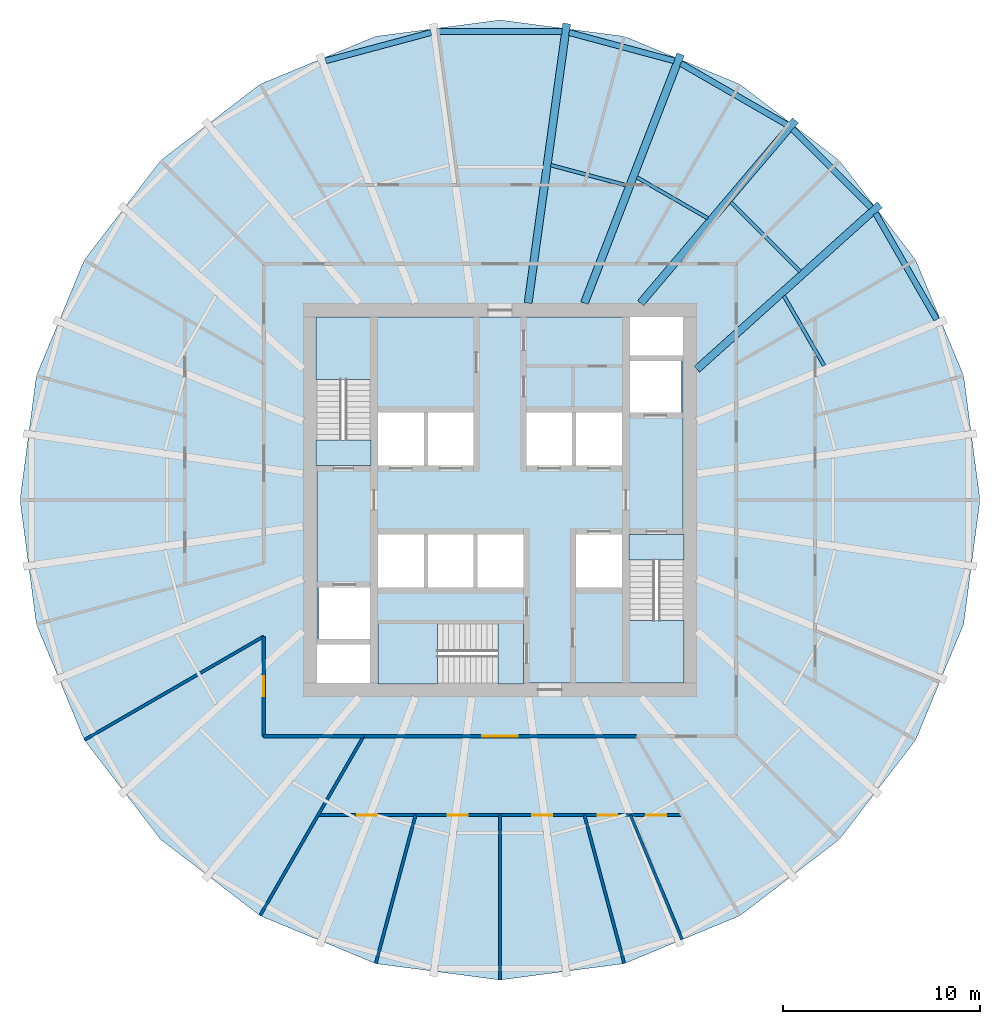
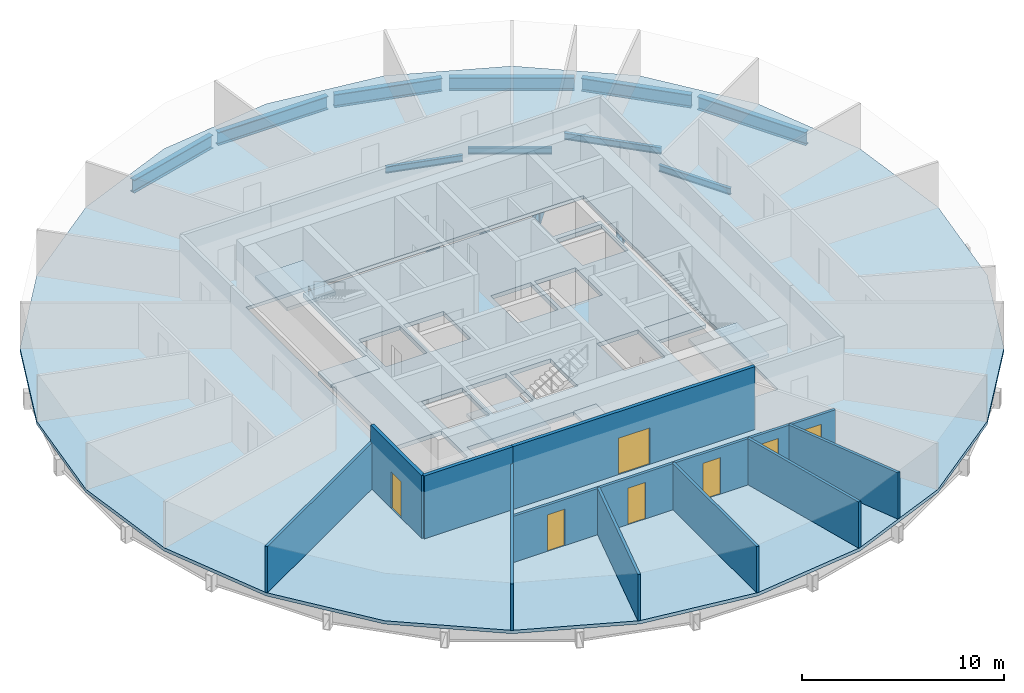
# One storey, part 2 of 6: 14 beams, 10 walls, 8 slabs, 7 doors, 7 openings, 3 elements without a shape of their own.
"""IFC4 building model written with IfcOpenShell, lengths in metres."""

from ifc_helpers import new_model, si_unit, direction, frame, frame_2d, origin, origin_2d, place, context, subcontext, project, spatial, polyline, rectangle, hollow_rectangle, i_section, outline, extrude, material, layer, layer_set, material_profile, profile_set, type_object, element, fill, aggregate, save


model = new_model("IFC4")

# Units and contexts
model_context = context("Model", 3, precision=1e-05, world=origin(), true_north=direction((0.0, 1.0)))
body_context = subcontext(model_context, "Body", "Model", "MODEL_VIEW")
ifc_project = project(units=[si_unit("LENGTHUNIT", "METRE"), si_unit("AREAUNIT", "SQUARE_METRE"), si_unit("VOLUMEUNIT", "CUBIC_METRE"), si_unit("PLANEANGLEUNIT", "RADIAN"), si_unit("MASSUNIT", "GRAM", prefix="KILO")], contexts=[model_context])

# Site, building, storey
site_placement = place(None, origin())
site = spatial("IfcSite", under=ifc_project, at=site_placement, CompositionType="ELEMENT")
building_placement = place(site_placement, origin())
building = spatial("IfcBuilding", under=site, at=building_placement, Name="Golbaran Civic Tower", CompositionType="ELEMENT")
storey_placement = place(building_placement, frame((0.0, 0.0, 94.0)))
storey = spatial("IfcBuildingStorey", under=building, at=storey_placement, Name="L22", CompositionType="ELEMENT", Elevation=94.0)

# Beams
ifc_material_1 = material(Name="Steel S355", Category="steel")
ifc_material_profile_1 = material_profile(ifc_material_1, i_section(OverallWidth=0.300048828125, OverallDepth=0.800048828125, WebThickness=0.017578125, FlangeThickness=0.032958984375, FilletRadius=0.030029296875, at=origin_2d()), Name="HEB 800")
ifc_profile_set_1 = profile_set([ifc_material_profile_1], Name="Steel S355")
beam_type_1 = type_object("IfcBeamType", Name="EDGE BEAM HEB 800", PredefinedType="BEAM", material=ifc_profile_set_1)
beam_1_placement = place(storey_placement, frame((22.1787109375, 9.164306640625, -0.60009765625), z_axis=(-0.498594901673, 0.866835119285, 0.0), x_axis=(-0.866835119285, -0.498594901673, 0.0)))
element("IfcBeam", 1, at=beam_1_placement, inside=storey, type_object=beam_type_1, Name="Edge beam 22.03 L22", PredefinedType="BEAM", context=body_context, shape_type="SweptSolid", body=[
    extrude(i_section(OverallWidth=0.300048828125, OverallDepth=0.800048828125, WebThickness=0.017578125, FlangeThickness=0.032958984375, FilletRadius=0.030029296875, at=origin_2d()), origin(), (0.0, 0.0, 1.0), 6.2255859375),
])
beam_2_placement = place(storey_placement, frame((18.855712890625, 14.847900390625, -0.60009765625), z_axis=(-0.706651848272, 0.707561421598, 0.0), x_axis=(-0.707561421598, -0.706651848272, 0.0)))
element("IfcBeam", 2, at=beam_2_placement, inside=storey, type_object=beam_type_1, Name="Edge beam 37.97 L22", PredefinedType="BEAM", context=body_context, shape_type="SweptSolid", body=[
    extrude(i_section(OverallWidth=0.300048828125, OverallDepth=0.800048828125, WebThickness=0.017578125, FlangeThickness=0.032958984375, FilletRadius=0.030029296875, at=origin_2d()), origin(), (0.0, 0.0, 1.0), 5.63671875),
])
beam_3_placement = place(storey_placement, frame((14.58642578125, 19.055419921875, -0.60009765625), z_axis=(-0.866316558112, 0.499495366485, 0.0), x_axis=(-0.499495366485, -0.866316558112, 0.0)))
element("IfcBeam", 3, at=beam_3_placement, inside=storey, type_object=beam_type_1, Name="Edge beam 52.03 L22", PredefinedType="BEAM", context=body_context, shape_type="SweptSolid", body=[
    extrude(i_section(OverallWidth=0.300048828125, OverallDepth=0.800048828125, WebThickness=0.017578125, FlangeThickness=0.032958984375, FilletRadius=0.030029296875, at=origin_2d()), origin(), (0.0, 0.0, 1.0), 6.236328125),
])
beam_4_placement = place(storey_placement, frame((8.851318359375, 22.308349609375, -0.60009765625), z_axis=(-0.965825057317, 0.259194827608, 0.0), x_axis=(-0.259194827608, -0.965825057317, 0.0)))
element("IfcBeam", 4, at=beam_4_placement, inside=storey, type_object=beam_type_1, Name="Edge beam 67.97 L22", PredefinedType="BEAM", context=body_context, shape_type="SweptSolid", body=[
    extrude(i_section(OverallWidth=0.300048828125, OverallDepth=0.800048828125, WebThickness=0.017578125, FlangeThickness=0.032958984375, FilletRadius=0.030029296875, at=origin_2d()), origin(), (0.0, 0.0, 1.0), 5.53271484375),
])
beam_5_placement = place(storey_placement, frame((3.150634765625, 23.78955078125, -0.60009765625), z_axis=(-1.0, 0.0, 0.0), x_axis=(0.0, -1.0, 0.0)))
element("IfcBeam", 5, at=beam_5_placement, inside=storey, type_object=beam_type_1, Name="Edge beam 82.03 L22", PredefinedType="BEAM", context=body_context, shape_type="SweptSolid", body=[
    extrude(i_section(OverallWidth=0.300048828125, OverallDepth=0.800048828125, WebThickness=0.017578125, FlangeThickness=0.032958984375, FilletRadius=0.030029296875, at=origin_2d()), origin(), (0.0, 0.0, 1.0), 6.30126953125),
])
beam_6_placement = place(storey_placement, frame((-3.507568359375, 23.742431640625, -0.60009765625), z_axis=(-0.965825057317, -0.259194827608, 0.0), x_axis=(0.259194827608, -0.965825057317, 0.0)))
element("IfcBeam", 6, at=beam_6_placement, inside=storey, type_object=beam_type_1, Name="Edge beam 97.97 L22", PredefinedType="BEAM", context=body_context, shape_type="SweptSolid", body=[
    extrude(i_section(OverallWidth=0.300048828125, OverallDepth=0.800048828125, WebThickness=0.017578125, FlangeThickness=0.032958984375, FilletRadius=0.030029296875, at=origin_2d()), origin(), (0.0, 0.0, 1.0), 5.53271484375),
])
ifc_material_profile_2 = material_profile(ifc_material_1, i_section(OverallWidth=0.179931640625, OverallDepth=0.39990234375, WebThickness=0.008544921875, FlangeThickness=0.013427734375, FilletRadius=0.02099609375, at=origin_2d()), Name="IPE 400")
ifc_profile_set_2 = profile_set([ifc_material_profile_2], Name="Steel S355")
beam_type_2 = type_object("IfcBeamType", Name="FLOOR INFILL BEAM IPE 400", PredefinedType="BEAM", material=ifc_profile_set_2)
beam_7_placement = place(storey_placement, frame((16.4638671875, 6.825439453125, -0.39990234375), z_axis=(-0.500018332044, 0.866014819515, 0.0), x_axis=(-0.866014819515, -0.500018332044, 0.0)))
element("IfcBeam", 7, at=beam_7_placement, inside=storey, type_object=beam_type_2, Name="Infill beam 30.00 L22", PredefinedType="BEAM", context=body_context, shape_type="SweptSolid", body=[
    extrude(i_section(OverallWidth=0.179931640625, OverallDepth=0.39990234375, WebThickness=0.008544921875, FlangeThickness=0.013427734375, FilletRadius=0.02099609375, at=origin_2d()), origin(), (0.0, 0.0, 1.0), 4.094970703125),
])
beam_8_placement = place(storey_placement, frame((15.24853515625, 11.6044921875, -0.39990234375), z_axis=(-0.707106781187, 0.707106781187, 0.0), x_axis=(-0.707106781187, -0.707106781187, 0.0)))
element("IfcBeam", 8, at=beam_8_placement, inside=storey, type_object=beam_type_2, Name="Infill beam 45.00 L22", PredefinedType="BEAM", context=body_context, shape_type="SweptSolid", body=[
    extrude(i_section(OverallWidth=0.179931640625, OverallDepth=0.39990234375, WebThickness=0.008544921875, FlangeThickness=0.013427734375, FilletRadius=0.02099609375, at=origin_2d()), origin(), (0.0, 0.0, 1.0), 4.980712890625),
])
beam_9_placement = place(storey_placement, frame((10.559814453125, 14.307373046875, -0.39990234375), z_axis=(-0.866032464785, 0.499987769789, 0.0), x_axis=(-0.499987769789, -0.866032464785, 0.0)))
element("IfcBeam", 9, at=beam_9_placement, inside=storey, type_object=beam_type_2, Name="Infill beam 60.00 L22", PredefinedType="BEAM", context=body_context, shape_type="SweptSolid", body=[
    extrude(i_section(OverallWidth=0.179931640625, OverallDepth=0.39990234375, WebThickness=0.008544921875, FlangeThickness=0.013427734375, FilletRadius=0.02099609375, at=origin_2d()), origin(), (0.0, 0.0, 1.0), 4.16845703125),
])
beam_10_placement = place(storey_placement, frame((6.40576171875, 15.983154296875, -0.39990234375), z_axis=(-0.965928527499, 0.258808963839, 0.0), x_axis=(-0.258808963839, -0.965928527499, 0.0)))
element("IfcBeam", 10, at=beam_10_placement, inside=storey, type_object=beam_type_2, Name="Infill beam 75.00 L22", PredefinedType="BEAM", context=body_context, shape_type="SweptSolid", body=[
    extrude(i_section(OverallWidth=0.179931640625, OverallDepth=0.39990234375, WebThickness=0.008544921875, FlangeThickness=0.013427734375, FilletRadius=0.02099609375, at=origin_2d()), origin(), (0.0, 0.0, 1.0), 3.962890625),
])
ifc_material_profile_3 = material_profile(ifc_material_1, hollow_rectangle(XDim=0.39990234375, YDim=1.0, WallThickness=0.050048828125, at=origin_2d()), Name="BOX 1000x400x50")
ifc_profile_set_3 = profile_set([ifc_material_profile_3], Name="Steel S355")
beam_type_3 = type_object("IfcBeamType", Name="RADIAL FLOOR BEAM BOX 1000x400x50", PredefinedType="BEAM", material=ifc_profile_set_3)
beam_11_placement = place(storey_placement, frame((10.0, 6.642822265625, -0.7099609375), z_axis=(0.743593348395, 0.668632135201, 0.0), x_axis=(-0.668632135201, 0.743593348395, 0.0)))
element("IfcBeam", 11, at=beam_11_placement, inside=storey, type_object=beam_type_3, Name="Radial beam 37.97 L22", PredefinedType="BEAM", context=body_context, shape_type="SweptSolid", body=[
    extrude(hollow_rectangle(XDim=0.39990234375, YDim=1.0, WallThickness=0.050048828125, at=origin_2d()), origin(), (0.0, 0.0, 1.0), 12.493408203125),
])
beam_12_placement = place(storey_placement, frame((7.142822265625, 10.0, -0.7099609375), z_axis=(0.646784737772, 0.762672605372, 0.0), x_axis=(-0.762672605372, 0.646784737772, 0.0)))
element("IfcBeam", 12, at=beam_12_placement, inside=storey, type_object=beam_type_3, Name="Radial beam 52.03 L22", PredefinedType="BEAM", context=body_context, shape_type="SweptSolid", body=[
    extrude(hollow_rectangle(XDim=0.39990234375, YDim=1.0, WallThickness=0.050048828125, at=origin_2d()), origin(), (0.0, 0.0, 1.0), 12.166259765625),
])
beam_13_placement = place(storey_placement, frame((4.28564453125, 10.0, -0.7099609375), z_axis=(0.360602586713, 0.932719558311, 0.0), x_axis=(-0.932719558311, 0.360602586713, 0.0)))
element("IfcBeam", 13, at=beam_13_placement, inside=storey, type_object=beam_type_3, Name="Radial beam 67.97 L22", PredefinedType="BEAM", context=body_context, shape_type="SweptSolid", body=[
    extrude(hollow_rectangle(XDim=0.39990234375, YDim=1.0, WallThickness=0.050048828125, at=origin_2d()), origin(), (0.0, 0.0, 1.0), 13.55908203125),
])
beam_14_placement = place(storey_placement, frame((1.428466796875, 10.0, -0.7099609375), z_axis=(0.136772265924, 0.990602517296, 0.0), x_axis=(-0.990602517296, 0.136772265924, 0.0)))
element("IfcBeam", 14, at=beam_14_placement, inside=storey, type_object=beam_type_3, Name="Radial beam 82.03 L22", PredefinedType="BEAM", context=body_context, shape_type="SweptSolid", body=[
    extrude(hollow_rectangle(XDim=0.39990234375, YDim=1.0, WallThickness=0.050048828125, at=origin_2d()), origin(), (0.0, 0.0, 1.0), 14.333740234375),
])

# Slabs
ifc_material_2 = material(Name="Concrete LC30/33 lightweight on steel deck", Category="concrete")
ifc_layer_1 = layer(ifc_material_2, 0.199951171875, Name="Concrete LC30/33 lightweight on steel deck")
ifc_layer_set_1 = layer_set([ifc_layer_1], Name="Concrete LC30/33 lightweight on steel deck")
slab_type_1 = type_object("IfcSlabType", Name="COMPOSITE FLOOR SLAB 200", PredefinedType="FLOOR", material=ifc_layer_set_1)
slab_1_placement = place(storey_placement, frame((0.0, 0.0, -0.199951171875)))
element("IfcSlab", 15, at=slab_1_placement, inside=storey, type_object=slab_type_1, Name="Floor slab L22", PredefinedType="FLOOR", context=body_context, shape_type="SweptSolid", body=[
    extrude(outline(polyline([(21.114013671875, -12.190185546875), (17.239501953125, -17.239501953125), (12.190185546875, -21.114013671875), (6.31005859375, -23.549560546875), (0.0, -24.38037109375), (-6.31005859375, -23.549560546875), (-12.190185546875, -21.114013671875), (-17.239501953125, -17.239501953125), (-21.114013671875, -12.190185546875), (-23.549560546875, -6.31005859375), (-24.38037109375, 0.0), (-23.549560546875, 6.31005859375), (-21.114013671875, 12.190185546875), (-17.239501953125, 17.239501953125), (-12.190185546875, 21.114013671875), (-6.31005859375, 23.549560546875), (0.0, 24.38037109375), (6.31005859375, 23.549560546875), (12.190185546875, 21.114013671875), (17.239501953125, 17.239501953125), (21.114013671875, 12.190185546875), (23.549560546875, 6.31005859375), (24.38037109375, 0.0), (23.549560546875, -6.31005859375), (21.114013671875, -12.190185546875)]), holes=[polyline([(-9.64990234375, 9.64990234375), (-9.64990234375, -9.64990234375), (9.64990234375, -9.64990234375), (9.64990234375, 9.64990234375), (-9.64990234375, 9.64990234375)])]), origin(), (0.0, 0.0, 1.0), 0.199951171875),
])
ifc_material_3 = material(Name="Concrete C35/45", Category="concrete")
ifc_layer_2 = layer(ifc_material_3, 0.25, Name="Concrete C35/45")
ifc_layer_set_2 = layer_set([ifc_layer_2], Name="Concrete C35/45")
slab_type_2 = type_object("IfcSlabType", Name="CORE FLOOR SLAB 250", PredefinedType="FLOOR", material=ifc_layer_set_2)
slab_2_placement = place(storey_placement, frame((0.0, 0.0, -0.25)))
element("IfcSlab", 16, at=slab_2_placement, inside=storey, type_object=slab_type_2, Name="Core floor slab L22", PredefinedType="FLOOR", context=body_context, shape_type="SweptSolid", body=[
    extrude(outline(polyline([(6.60009765625, -1.75), (6.60009765625, -9.300048828125), (1.199951171875, -9.300048828125), (1.199951171875, -6.300048828125), (-6.199951171875, -6.300048828125), (-6.199951171875, -9.300048828125), (-6.60009765625, -9.300048828125), (-6.60009765625, -7.35009765625), (-9.300048828125, -7.35009765625), (-9.300048828125, 1.75), (-6.60009765625, 1.75), (-6.60009765625, 9.300048828125), (6.60009765625, 9.300048828125), (6.60009765625, 7.35009765625), (9.300048828125, 7.35009765625), (9.300048828125, -1.75), (6.60009765625, -1.75)]), holes=[polyline([(9.199951171875, 7.050048828125), (6.60009765625, 7.050048828125), (6.60009765625, 4.449951171875), (9.199951171875, 4.449951171875), (9.199951171875, 7.050048828125)]), polyline([(6.199951171875, -1.75), (3.85009765625, -1.75), (3.85009765625, -4.449951171875), (6.199951171875, -4.449951171875), (6.199951171875, -1.75)]), polyline([(6.199951171875, 4.449951171875), (3.85009765625, 4.449951171875), (3.85009765625, 1.75), (6.199951171875, 1.75), (6.199951171875, 4.449951171875)]), polyline([(3.64990234375, 4.449951171875), (1.35009765625, 4.449951171875), (1.35009765625, 1.75), (3.64990234375, 1.75), (3.64990234375, 4.449951171875)]), polyline([(1.199951171875, -1.75), (-1.14990234375, -1.75), (-1.14990234375, -4.449951171875), (1.199951171875, -4.449951171875), (1.199951171875, -1.75)]), polyline([(-1.35009765625, 4.449951171875), (-3.64990234375, 4.449951171875), (-3.64990234375, 1.75), (-1.35009765625, 1.75), (-1.35009765625, 4.449951171875)]), polyline([(-1.35009765625, -1.75), (-3.64990234375, -1.75), (-3.64990234375, -4.449951171875), (-1.35009765625, -4.449951171875), (-1.35009765625, -1.75)]), polyline([(-3.85009765625, -1.75), (-6.199951171875, -1.75), (-6.199951171875, -4.449951171875), (-3.85009765625, -4.449951171875), (-3.85009765625, -1.75)]), polyline([(-3.85009765625, 4.449951171875), (-6.199951171875, 4.449951171875), (-6.199951171875, 1.75), (-3.85009765625, 1.75), (-3.85009765625, 4.449951171875)]), polyline([(-6.60009765625, -4.449951171875), (-9.199951171875, -4.449951171875), (-9.199951171875, -7.050048828125), (-6.60009765625, -7.050048828125), (-6.60009765625, -4.449951171875)])]), origin(), (0.0, 0.0, 1.0), 0.25),
])

# Stair, slab
stair_type_1 = type_object("IfcStairType", Name="EXIT STAIR 2700 x 7550, 4000 RISE", PredefinedType="HALF_TURN_STAIR", material=ifc_material_3)
stair_1_placement = place(storey_placement, origin())
stair_1 = element("IfcStair", 17, at=stair_1_placement, inside=storey, type_object=stair_type_1, Name="Stair S1 L22", PredefinedType="HALF_TURN_STAIR")
ifc_layer_3 = layer(ifc_material_3, 0.199951171875, Name="Concrete C35/45")
ifc_layer_set_3 = layer_set([ifc_layer_3], Name="Concrete C35/45")
slab_type_3 = type_object("IfcSlabType", Name="STAIR LANDING 200", PredefinedType="LANDING", material=ifc_layer_set_3)
slab_3_placement = place(storey_placement, frame((0.0, 0.0, 1.800048828125)))
slab_3 = element("IfcSlab", 18, at=slab_3_placement, type_object=slab_type_3, Name="ST27076-40 landing 1", PredefinedType="LANDING", context=body_context, shape_type="SweptSolid", body=[
    extrude(outline(polyline([(-9.35009765625, 6.125), (-9.35009765625, 9.300048828125), (-6.550048828125, 9.300048828125), (-6.550048828125, 6.125), (-9.35009765625, 6.125)])), origin(), (0.0, 0.0, 1.0), 0.199951171875),
])
aggregate(stair_1, [slab_3])

# Slab
slab_4_placement = place(storey_placement, frame((0.0, 0.0, -0.199951171875)))
element("IfcSlab", 19, at=slab_4_placement, inside=storey, type_object=slab_type_3, Name="Stair S1 floor landing L22", PredefinedType="LANDING", context=body_context, shape_type="SweptSolid", body=[
    extrude(outline(polyline([(-9.35009765625, 1.75), (-9.35009765625, 3.054931640625), (-6.550048828125, 3.054931640625), (-6.550048828125, 1.75), (-9.35009765625, 1.75)])), origin(), (0.0, 0.0, 1.0), 0.199951171875),
])

# Stair, slab
stair_2_placement = place(storey_placement, origin())
stair_2 = element("IfcStair", 20, at=stair_2_placement, inside=storey, type_object=stair_type_1, Name="Stair S2 L22", PredefinedType="HALF_TURN_STAIR")
slab_5_placement = place(storey_placement, frame((0.0, 0.0, 1.800048828125)))
slab_5 = element("IfcSlab", 21, at=slab_5_placement, type_object=slab_type_3, Name="ST27076-40 landing 1", PredefinedType="LANDING", context=body_context, shape_type="SweptSolid", body=[
    extrude(outline(polyline([(9.35009765625, -6.125), (9.35009765625, -9.300048828125), (6.550048828125, -9.300048828125), (6.550048828125, -6.125), (9.35009765625, -6.125)])), origin(), (0.0, 0.0, 1.0), 0.199951171875),
])
aggregate(stair_2, [slab_5])

# Slab
slab_6_placement = place(storey_placement, frame((0.0, 0.0, -0.199951171875)))
element("IfcSlab", 22, at=slab_6_placement, inside=storey, type_object=slab_type_3, Name="Stair S2 floor landing L22", PredefinedType="LANDING", context=body_context, shape_type="SweptSolid", body=[
    extrude(outline(polyline([(9.35009765625, -1.75), (9.35009765625, -3.054931640625), (6.550048828125, -3.054931640625), (6.550048828125, -1.75), (9.35009765625, -1.75)])), origin(), (0.0, 0.0, 1.0), 0.199951171875),
])

# Stair, slab
stair_type_2 = type_object("IfcStairType", Name="EXIT STAIR 3000 x 7400, 4000 RISE", PredefinedType="HALF_TURN_STAIR", material=ifc_material_3)
stair_3_placement = place(storey_placement, origin())
stair_3 = element("IfcStair", 23, at=stair_3_placement, inside=storey, type_object=stair_type_2, Name="Stair S3 L22", PredefinedType="HALF_TURN_STAIR")
slab_7_placement = place(storey_placement, frame((0.0, 0.0, 1.800048828125)))
slab_7 = element("IfcSlab", 24, at=slab_7_placement, type_object=slab_type_3, Name="ST30074-40 landing 1", PredefinedType="LANDING", context=body_context, shape_type="SweptSolid", body=[
    extrude(outline(polyline([(-3.175048828125, -9.35009765625), (-6.199951171875, -9.35009765625), (-6.199951171875, -6.25), (-3.175048828125, -6.25), (-3.175048828125, -9.35009765625)])), origin(), (0.0, 0.0, 1.0), 0.199951171875),
])
aggregate(stair_3, [slab_7])

# Slab
slab_8_placement = place(storey_placement, frame((0.0, 0.0, -0.199951171875)))
element("IfcSlab", 25, at=slab_8_placement, inside=storey, type_object=slab_type_3, Name="Stair S3 floor landing L22", PredefinedType="LANDING", context=body_context, shape_type="SweptSolid", body=[
    extrude(outline(polyline([(1.199951171875, -9.35009765625), (-0.10498046875, -9.35009765625), (-0.10498046875, -6.25), (1.199951171875, -6.25), (1.199951171875, -9.35009765625)])), origin(), (0.0, 0.0, 1.0), 0.199951171875),
])

# Wall, opening, door
ifc_material_4 = material(Name="Gypsum board on steel studs, fire-rated", Category="steel")
ifc_layer_4 = layer(ifc_material_4, 0.199951171875, Name="Gypsum board on steel studs, fire-rated")
ifc_layer_set_4 = layer_set([ifc_layer_4], Name="Gypsum board on steel studs, fire-rated")
wall_type_1 = type_object("IfcWallType", Name="CORRIDOR WALL 200", PredefinedType="PARTITIONING", material=ifc_layer_set_4)
wall_1_placement = place(storey_placement, frame((-12.0, -6.92822265625, 0.0), z_axis=(0.0, 0.0, 1.0), x_axis=(0.0, -1.0, 0.0)))
wall_1 = element("IfcWall", 26, at=wall_1_placement, inside=storey, type_object=wall_type_1, Name="Corridor wall L22", PredefinedType="PARTITIONING", context=body_context, shape_type="SweptSolid", body=[
    extrude(rectangle(XDim=5.07177734375, YDim=0.199951171875, at=frame_2d((2.535888671875, 0.0))), origin(), (0.0, 0.0, 1.0), 3.800048828125),
])
opening_1_placement = place(wall_1_placement, frame((2.035888671875, 0.0, 0.0)))
opening_1 = element("IfcOpeningElement", 27, at=opening_1_placement, cuts=wall_1, Name="Opening L22.25", PredefinedType="OPENING", context=body_context, shape_type="SweptSolid", body=[
    extrude(rectangle(XDim=1.0, YDim=2.199951171875, at=frame_2d((0.5, 1.10009765625))), frame((0.0, 0.10986328125, 0.0), z_axis=(0.0, -1.0, 0.0), x_axis=(1.0, 0.0, 0.0)), (0.0, 0.0, 1.0), 0.219970703125),
])
ifc_material_5 = material(Name="Timber door set in steel frame", Category="steel")
door_type_1 = type_object("IfcDoorType", Name="OFFICE DOOR 1000x2200", OperationType="SINGLE_SWING_LEFT", PredefinedType="DOOR", material=ifc_material_5)
door_1_placement = place(opening_1_placement, origin())
door_1 = element("IfcDoor", 28, at=door_1_placement, inside=storey, type_object=door_type_1, Name="Project Room door L22", OperationType="SINGLE_SWING_RIGHT", OverallHeight=2.199951171875, OverallWidth=1.0, PredefinedType="DOOR", context=body_context, shape_type="SweptSolid", body=[
    extrude(rectangle(XDim=1.0, YDim=2.199951171875, at=frame_2d((0.5, 1.10009765625))), frame((0.0, 0.02490234375, 0.0), z_axis=(0.0, -1.0, 0.0), x_axis=(1.0, 0.0, 0.0)), (0.0, 0.0, 1.0), 0.050048828125),
])
fill(opening_1, door_1)

# Wall
wall_2_placement = place(storey_placement, frame((-12.0, -12.0, 0.0), z_axis=(0.0, 0.0, 1.0), x_axis=(1.0, 0.0, 0.0)))
element("IfcWall", 29, at=wall_2_placement, inside=storey, type_object=wall_type_1, Name="Corridor wall L22", PredefinedType="PARTITIONING", context=body_context, shape_type="SweptSolid", body=[
    extrude(rectangle(XDim=5.07177734375, YDim=0.199951171875, at=frame_2d((2.535888671875, 0.0))), origin(), (0.0, 0.0, 1.0), 3.800048828125),
])

# Wall, opening, door
wall_3_placement = place(storey_placement, frame((-6.92822265625, -12.0, 0.0), z_axis=(0.0, 0.0, 1.0), x_axis=(1.0, 0.0, 0.0)))
wall_3 = element("IfcWall", 30, at=wall_3_placement, inside=storey, type_object=wall_type_1, Name="Corridor wall L22", PredefinedType="PARTITIONING", context=body_context, shape_type="SweptSolid", body=[
    extrude(rectangle(XDim=13.8564453125, YDim=0.199951171875, at=frame_2d((6.92822265625, 0.0))), origin(), (0.0, 0.0, 1.0), 3.800048828125),
])
opening_2_placement = place(wall_3_placement, frame((6.0283203125, 0.0, 0.0)))
opening_2 = element("IfcOpeningElement", 31, at=opening_2_placement, cuts=wall_3, Name="Opening L22.26", PredefinedType="OPENING", context=body_context, shape_type="SweptSolid", body=[
    extrude(rectangle(XDim=1.800048828125, YDim=2.199951171875, at=frame_2d((0.89990234375, 1.10009765625))), frame((0.0, 0.10986328125, 0.0), z_axis=(0.0, -1.0, 0.0), x_axis=(1.0, 0.0, 0.0)), (0.0, 0.0, 1.0), 0.219970703125),
])
door_type_2 = type_object("IfcDoorType", Name="OFFICE DOUBLE DOOR 1800x2200", OperationType="DOUBLE_DOOR_SINGLE_SWING", PredefinedType="DOOR", material=ifc_material_5)
door_2_placement = place(opening_2_placement, origin())
door_2 = element("IfcDoor", 32, at=door_2_placement, inside=storey, type_object=door_type_2, Name="Secretariat door L22", OperationType="DOUBLE_DOOR_SINGLE_SWING", OverallHeight=2.199951171875, OverallWidth=1.800048828125, PredefinedType="DOOR", context=body_context, shape_type="SweptSolid", body=[
    extrude(rectangle(XDim=1.800048828125, YDim=2.199951171875, at=frame_2d((0.89990234375, 1.10009765625))), frame((0.0, 0.02490234375, 0.0), z_axis=(0.0, -1.0, 0.0), x_axis=(1.0, 0.0, 0.0)), (0.0, 0.0, 1.0), 0.050048828125),
])
fill(opening_2, door_2)

# Walls
ifc_material_6 = material(Name="Gypsum board on steel studs", Category="steel")
ifc_layer_5 = layer(ifc_material_6, 0.14990234375, Name="Gypsum board on steel studs")
ifc_layer_set_5 = layer_set([ifc_layer_5], Name="Gypsum board on steel studs")
wall_type_2 = type_object("IfcWallType", Name="OFFICE PARTITION 150", PredefinedType="PARTITIONING", material=ifc_layer_set_5)
for number, where, z_axis, x_axis, name in (
    (33, (-12.0, -6.92822265625, 0.0), (0.0, 0.0, 1.0), (-0.866028201971, -0.499995153367, 0.0), "Partition 210 L22"),
    (34, (-6.92822265625, -12.0, 0.0), (0.0, 0.0, 1.0), (-0.499995153367, -0.866028201971, 0.0), "Partition 240 L22"),
):
    element("IfcWall", number, at=place(storey_placement, frame(where, z_axis=z_axis, x_axis=x_axis)), inside=storey, type_object=wall_type_2, Name=name, PredefinedType="PARTITIONING", context=body_context, shape_type="SweptSolid", body=[
        extrude(rectangle(XDim=10.513671875, YDim=0.14990234375, at=frame_2d((5.2568359375, 0.0))), origin(), (0.0, 0.0, 1.0), 2.7900390625),
    ])

# Wall, openings, doors
wall_4_placement = place(storey_placement, frame((-9.237548828125, -16.0, 0.0), z_axis=(0.0, 0.0, 1.0), x_axis=(1.0, 0.0, 0.0)))
wall_4 = element("IfcWall", 35, at=wall_4_placement, inside=storey, type_object=wall_type_2, Name="Suite partition L22", PredefinedType="PARTITIONING", context=body_context, shape_type="SweptSolid", body=[
    extrude(rectangle(XDim=18.47509765625, YDim=0.14990234375, at=frame_2d((9.237548828125, 0.0))), origin(), (0.0, 0.0, 1.0), 2.7900390625),
])
opening_3_placement = place(wall_4_placement, frame((1.97509765625, 0.0, 0.0)))
opening_3 = element("IfcOpeningElement", 36, at=opening_3_placement, cuts=wall_4, Name="Opening L22.11", PredefinedType="OPENING", context=body_context, shape_type="SweptSolid", body=[
    extrude(rectangle(XDim=1.0, YDim=2.199951171875, at=frame_2d((0.5, 1.10009765625))), frame((0.0, 0.0849609375, 0.0), z_axis=(0.0, -1.0, 0.0), x_axis=(1.0, 0.0, 0.0)), (0.0, 0.0, 1.0), 0.169921875),
])
opening_4_placement = place(wall_4_placement, frame((6.593994140625, 0.0, 0.0)))
opening_4 = element("IfcOpeningElement", 37, at=opening_4_placement, cuts=wall_4, Name="Opening L22.12", PredefinedType="OPENING", context=body_context, shape_type="SweptSolid", body=[
    extrude(rectangle(XDim=1.0, YDim=2.199951171875, at=frame_2d((0.5, 1.10009765625))), frame((0.0, 0.0849609375, 0.0), z_axis=(0.0, -1.0, 0.0), x_axis=(1.0, 0.0, 0.0)), (0.0, 0.0, 1.0), 0.169921875),
])
opening_5_placement = place(wall_4_placement, frame((10.881103515625, 0.0, 0.0)))
opening_5 = element("IfcOpeningElement", 38, at=opening_5_placement, cuts=wall_4, Name="Opening L22.13", PredefinedType="OPENING", context=body_context, shape_type="SweptSolid", body=[
    extrude(rectangle(XDim=1.0, YDim=2.199951171875, at=frame_2d((0.5, 1.10009765625))), frame((0.0, 0.0849609375, 0.0), z_axis=(0.0, -1.0, 0.0), x_axis=(1.0, 0.0, 0.0)), (0.0, 0.0, 1.0), 0.169921875),
])
opening_6_placement = place(wall_4_placement, frame((14.19482421875, 0.0, 0.0)))
opening_6 = element("IfcOpeningElement", 39, at=opening_6_placement, cuts=wall_4, Name="Opening L22.14", PredefinedType="OPENING", context=body_context, shape_type="SweptSolid", body=[
    extrude(rectangle(XDim=1.0, YDim=2.199951171875, at=frame_2d((0.5, 1.10009765625))), frame((0.0, 0.0849609375, 0.0), z_axis=(0.0, -1.0, 0.0), x_axis=(1.0, 0.0, 0.0)), (0.0, 0.0, 1.0), 0.169921875),
])
opening_7_placement = place(wall_4_placement, frame((16.670166015625, 0.0, 0.0)))
opening_7 = element("IfcOpeningElement", 40, at=opening_7_placement, cuts=wall_4, Name="Opening L22.15", PredefinedType="OPENING", context=body_context, shape_type="SweptSolid", body=[
    extrude(rectangle(XDim=1.0, YDim=2.199951171875, at=frame_2d((0.5, 1.10009765625))), frame((0.0, 0.0849609375, 0.0), z_axis=(0.0, -1.0, 0.0), x_axis=(1.0, 0.0, 0.0)), (0.0, 0.0, 1.0), 0.169921875),
])
door_3_placement = place(opening_3_placement, origin())
door_3 = element("IfcDoor", 41, at=door_3_placement, inside=storey, type_object=door_type_1, Name="Director's Office door L22", OperationType="SINGLE_SWING_LEFT", OverallHeight=2.199951171875, OverallWidth=1.0, PredefinedType="DOOR", context=body_context, shape_type="SweptSolid", body=[
    extrude(rectangle(XDim=1.0, YDim=2.199951171875, at=frame_2d((0.5, 1.10009765625))), frame((0.0, 0.02490234375, 0.0), z_axis=(0.0, -1.0, 0.0), x_axis=(1.0, 0.0, 0.0)), (0.0, 0.0, 1.0), 0.050048828125),
])
fill(opening_3, door_3)
door_4_placement = place(opening_4_placement, origin())
door_4 = element("IfcDoor", 42, at=door_4_placement, inside=storey, type_object=door_type_1, Name="Office door L22", OperationType="SINGLE_SWING_LEFT", OverallHeight=2.199951171875, OverallWidth=1.0, PredefinedType="DOOR", context=body_context, shape_type="SweptSolid", body=[
    extrude(rectangle(XDim=1.0, YDim=2.199951171875, at=frame_2d((0.5, 1.10009765625))), frame((0.0, 0.02490234375, 0.0), z_axis=(0.0, -1.0, 0.0), x_axis=(1.0, 0.0, 0.0)), (0.0, 0.0, 1.0), 0.050048828125),
])
fill(opening_4, door_4)
door_5_placement = place(opening_5_placement, origin())
door_5 = element("IfcDoor", 43, at=door_5_placement, inside=storey, type_object=door_type_1, Name="Office door L22", OperationType="SINGLE_SWING_RIGHT", OverallHeight=2.199951171875, OverallWidth=1.0, PredefinedType="DOOR", context=body_context, shape_type="SweptSolid", body=[
    extrude(rectangle(XDim=1.0, YDim=2.199951171875, at=frame_2d((0.5, 1.10009765625))), frame((0.0, 0.02490234375, 0.0), z_axis=(0.0, -1.0, 0.0), x_axis=(1.0, 0.0, 0.0)), (0.0, 0.0, 1.0), 0.050048828125),
])
fill(opening_5, door_5)
door_6_placement = place(opening_6_placement, origin())
door_6 = element("IfcDoor", 44, at=door_6_placement, inside=storey, type_object=door_type_1, Name="Director's Office door L22", OperationType="SINGLE_SWING_RIGHT", OverallHeight=2.199951171875, OverallWidth=1.0, PredefinedType="DOOR", context=body_context, shape_type="SweptSolid", body=[
    extrude(rectangle(XDim=1.0, YDim=2.199951171875, at=frame_2d((0.5, 1.10009765625))), frame((0.0, 0.02490234375, 0.0), z_axis=(0.0, -1.0, 0.0), x_axis=(1.0, 0.0, 0.0)), (0.0, 0.0, 1.0), 0.050048828125),
])
fill(opening_6, door_6)
door_7_placement = place(opening_7_placement, origin())
door_7 = element("IfcDoor", 45, at=door_7_placement, inside=storey, type_object=door_type_1, Name="Office door L22", OperationType="SINGLE_SWING_RIGHT", OverallHeight=2.199951171875, OverallWidth=1.0, PredefinedType="DOOR", context=body_context, shape_type="SweptSolid", body=[
    extrude(rectangle(XDim=1.0, YDim=2.199951171875, at=frame_2d((0.5, 1.10009765625))), frame((0.0, 0.02490234375, 0.0), z_axis=(0.0, -1.0, 0.0), x_axis=(1.0, 0.0, 0.0)), (0.0, 0.0, 1.0), 0.050048828125),
])
fill(opening_7, door_7)

# Walls
wall_5_placement = place(storey_placement, frame((-4.287109375, -16.0, 0.0), z_axis=(0.0, 0.0, 1.0), x_axis=(-0.258816859097, -0.965926412025, 0.0)))
element("IfcWall", 46, at=wall_5_placement, inside=storey, type_object=wall_type_2, Name="Partition 255 L22", PredefinedType="PARTITIONING", context=body_context, shape_type="SweptSolid", body=[
    extrude(rectangle(XDim=7.8056640625, YDim=0.14990234375, at=frame_2d((3.90283203125, 0.0))), origin(), (0.0, 0.0, 1.0), 2.7900390625),
])
wall_6_placement = place(storey_placement, frame((0.0, -16.0, 0.0), z_axis=(0.0, 0.0, 1.0), x_axis=(0.0, -1.0, 0.0)))
element("IfcWall", 47, at=wall_6_placement, inside=storey, type_object=wall_type_2, Name="Partition 270 L22", PredefinedType="PARTITIONING", context=body_context, shape_type="SweptSolid", body=[
    extrude(rectangle(XDim=8.3701171875, YDim=0.14990234375, at=frame_2d((4.18505859375, 0.0))), origin(), (0.0, 0.0, 1.0), 2.7900390625),
])
wall_7_placement = place(storey_placement, frame((4.287109375, -16.0, 0.0), z_axis=(0.0, 0.0, 1.0), x_axis=(0.258816859097, -0.965926412025, 0.0)))
element("IfcWall", 48, at=wall_7_placement, inside=storey, type_object=wall_type_2, Name="Partition 285 L22", PredefinedType="PARTITIONING", context=body_context, shape_type="SweptSolid", body=[
    extrude(rectangle(XDim=7.8056640625, YDim=0.14990234375, at=frame_2d((3.90283203125, 0.0))), origin(), (0.0, 0.0, 1.0), 2.7900390625),
])
wall_8_placement = place(storey_placement, frame((6.62744140625, -16.0, 0.0), z_axis=(0.0, 0.0, 1.0), x_axis=(0.382686823805, -0.923878127723, 0.0)))
element("IfcWall", 49, at=wall_8_placement, inside=storey, type_object=wall_type_2, Name="Partition 292.5 L22", PredefinedType="PARTITIONING", context=body_context, shape_type="SweptSolid", body=[
    extrude(rectangle(XDim=6.843505859375, YDim=0.14990234375, at=frame_2d((3.421875, 0.0))), origin(), (0.0, 0.0, 1.0), 2.7900390625),
])

save(model, "model.ifc")
